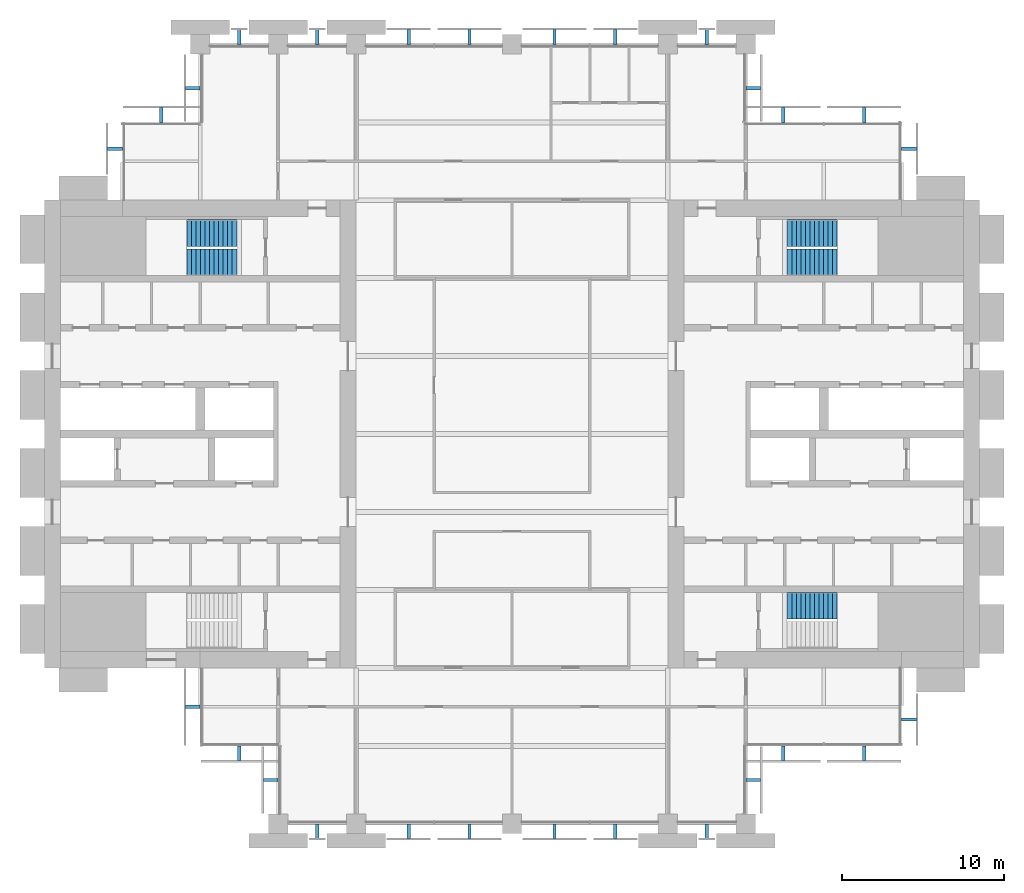
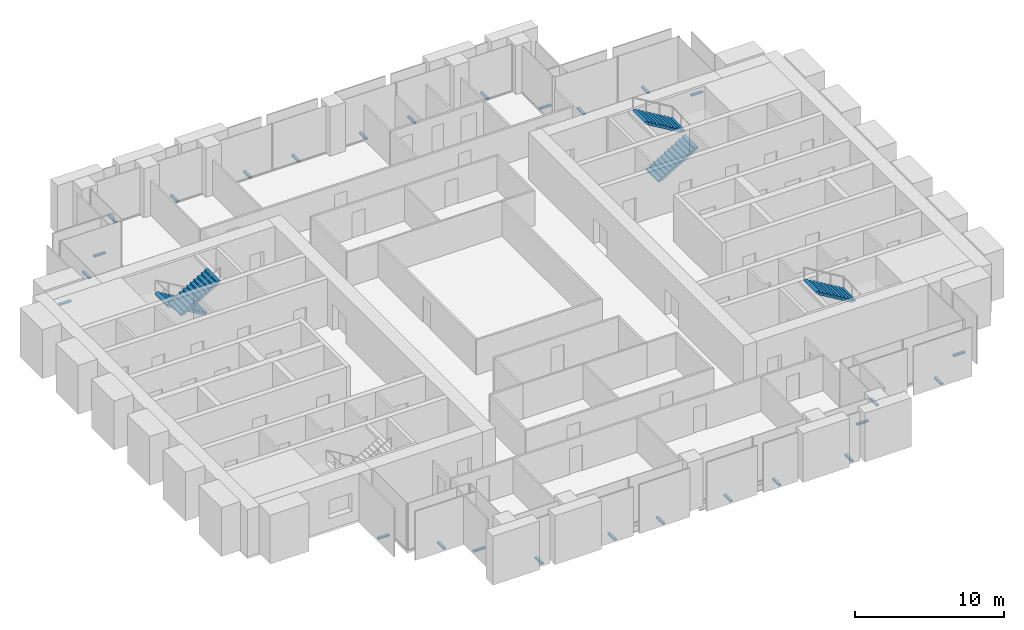
# One storey, part 13 of 14: 27 discrete accessories, 5 stair flights, 3 elements without a shape of their own.
"""IFC4 building model written with IfcOpenShell, lengths in metres."""

from ifc_helpers import new_model, si_unit, direction, frame, origin, origin_2d, place, context, subcontext, project, spatial, polyline, rectangle, outline, extrude, material, type_object, element, aggregate, save


model = new_model("IFC4")

# Units and contexts
model_context = context("Model", 3, precision=1e-05, world=origin(), true_north=direction((0.0, 1.0)))
body_context = subcontext(model_context, "Body", "Model", "MODEL_VIEW")
ifc_project = project(units=[si_unit("LENGTHUNIT", "METRE"), si_unit("AREAUNIT", "SQUARE_METRE"), si_unit("VOLUMEUNIT", "CUBIC_METRE"), si_unit("PLANEANGLEUNIT", "RADIAN"), si_unit("MASSUNIT", "GRAM", prefix="KILO")], contexts=[model_context])

# Site, building, storey
site_placement = place(None, origin())
site = spatial("IfcSite", under=ifc_project, at=site_placement, CompositionType="ELEMENT")
building_placement = place(site_placement, origin())
building = spatial("IfcBuilding", under=site, at=building_placement, Name="Baori Bourse Tower", CompositionType="ELEMENT")
storey_placement = place(building_placement, frame((0.0, 0.0, 112.10009765625)))
storey = spatial("IfcBuildingStorey", under=building, at=storey_placement, Name="L23", CompositionType="ELEMENT", Elevation=112.10009765625)

# Stair, stair flights
ifc_material_1 = material(Name="Concrete f'c 50 MPa", Category="concrete")
stair_type = type_object("IfcStairType", Name="Core stair", PredefinedType="HALF_TURN_STAIR", material=ifc_material_1)
stair_1_placement = place(storey_placement, origin())
stair_1 = element("IfcStair", 1, at=stair_1_placement, inside=storey, type_object=stair_type, Name="L23 Stair WB", PredefinedType="HALF_TURN_STAIR")
ifc_material_2 = material(Name="Concrete f'c 50 MPa", Category="concrete")
stair_flight_type = type_object("IfcStairFlightType", Name="Core stair flight", PredefinedType="STRAIGHT", material=ifc_material_2)
stair_flight_1_placement = place(storey_placement, frame((11.85009765625, 36.375, 0.0), z_axis=(0.0, 0.0, 1.0), x_axis=(-1.0, 0.0, 0.0)))
stair_flight_1 = element("IfcStairFlight", 2, at=stair_flight_1_placement, type_object=stair_flight_type, Name="ST2 flight 1", NumberOfRisers=12, NumberOfTreads=11, PredefinedType="STRAIGHT", RiserHeight=0.166666667, TreadLength=0.28, context=body_context, shape_type="SweptSolid", body=[
    extrude(outline(polyline([(0.0, 0.0), (0.0, 0.166748046875), (0.280029296875, 0.166748046875), (0.280029296875, 0.333251953125), (0.56005859375, 0.333251953125), (0.56005859375, 0.5), (0.840087890625, 0.5), (0.840087890625, 0.666748046875), (1.1201171875, 0.666748046875), (1.1201171875, 0.833251953125), (1.39990234375, 0.833251953125), (1.39990234375, 1.0), (1.679931640625, 1.0), (1.679931640625, 1.166748046875), (1.9599609375, 1.166748046875), (1.9599609375, 1.333251953125), (2.239990234375, 1.333251953125), (2.239990234375, 1.5), (2.52001953125, 1.5), (2.52001953125, 1.666748046875), (2.800048828125, 1.666748046875), (2.800048828125, 1.833251953125), (3.080078125, 1.833251953125), (3.080078125, 2.0), (3.080078125, 1.658935546875), (0.29296875, 0.0), (0.0, 0.0)])), frame((0.0, 0.824951171875, 0.0), z_axis=(0.0, -1.0, 0.0), x_axis=(1.0, 0.0, 0.0)), (0.0, 0.0, 1.0), 1.64990234375),
])
stair_flight_2_placement = place(storey_placement, frame((8.77001953125, 34.574951171875, 2.0), z_axis=(0.0, 0.0, 1.0), x_axis=(1.0, 0.0, 0.0)))
stair_flight_2 = element("IfcStairFlight", 3, at=stair_flight_2_placement, type_object=stair_flight_type, Name="ST2 flight 2", NumberOfRisers=12, NumberOfTreads=11, PredefinedType="STRAIGHT", RiserHeight=0.166666667, TreadLength=0.28, context=body_context, shape_type="SweptSolid", body=[
    extrude(outline(polyline([(0.0, 0.0), (0.0, 0.166748046875), (0.280029296875, 0.166748046875), (0.280029296875, 0.333251953125), (0.56005859375, 0.333251953125), (0.56005859375, 0.5), (0.840087890625, 0.5), (0.840087890625, 0.666748046875), (1.1201171875, 0.666748046875), (1.1201171875, 0.833251953125), (1.39990234375, 0.833251953125), (1.39990234375, 1.0), (1.679931640625, 1.0), (1.679931640625, 1.166748046875), (1.9599609375, 1.166748046875), (1.9599609375, 1.333251953125), (2.239990234375, 1.333251953125), (2.239990234375, 1.5), (2.52001953125, 1.5), (2.52001953125, 1.666748046875), (2.800048828125, 1.666748046875), (2.800048828125, 1.833251953125), (3.080078125, 1.833251953125), (3.080078125, 2.0), (3.080078125, 1.658935546875), (0.29296875, 0.0), (0.0, 0.0)])), frame((0.0, 0.824951171875, 0.0), z_axis=(0.0, -1.0, 0.0), x_axis=(1.0, 0.0, 0.0)), (0.0, 0.0, 1.0), 1.64990234375),
])
aggregate(stair_1, [stair_flight_1, stair_flight_2])

# Stair, stair flight
stair_2_placement = place(storey_placement, origin())
stair_2 = element("IfcStair", 4, at=stair_2_placement, inside=storey, type_object=stair_type, Name="L23 Stair EA", PredefinedType="HALF_TURN_STAIR")
stair_flight_3_placement = place(storey_placement, frame((48.830078125, 13.425048828125, 2.0), z_axis=(0.0, 0.0, 1.0), x_axis=(-1.0, 0.0, 0.0)))
stair_flight_3 = element("IfcStairFlight", 5, at=stair_flight_3_placement, type_object=stair_flight_type, Name="ST3 flight 2", NumberOfRisers=12, NumberOfTreads=11, PredefinedType="STRAIGHT", RiserHeight=0.166666667, TreadLength=0.28, context=body_context, shape_type="SweptSolid", body=[
    extrude(outline(polyline([(0.0, 0.0), (0.0, 0.166748046875), (0.280029296875, 0.166748046875), (0.280029296875, 0.333251953125), (0.56005859375, 0.333251953125), (0.56005859375, 0.5), (0.840087890625, 0.5), (0.840087890625, 0.666748046875), (1.1201171875, 0.666748046875), (1.1201171875, 0.833251953125), (1.39990234375, 0.833251953125), (1.39990234375, 1.0), (1.679931640625, 1.0), (1.679931640625, 1.166748046875), (1.9599609375, 1.166748046875), (1.9599609375, 1.333251953125), (2.239990234375, 1.333251953125), (2.239990234375, 1.5), (2.52001953125, 1.5), (2.52001953125, 1.666748046875), (2.800048828125, 1.666748046875), (2.800048828125, 1.833251953125), (3.080078125, 1.833251953125), (3.080078125, 2.0), (3.080078125, 1.658935546875), (0.29296875, 0.0), (0.0, 0.0)])), frame((0.0, 0.824951171875, 0.0), z_axis=(0.0, -1.0, 0.0), x_axis=(1.0, 0.0, 0.0)), (0.0, 0.0, 1.0), 1.64990234375),
])
aggregate(stair_2, [stair_flight_3])

# Stair, stair flights
stair_3_placement = place(storey_placement, origin())
stair_3 = element("IfcStair", 6, at=stair_3_placement, inside=storey, type_object=stair_type, Name="L23 Stair EB", PredefinedType="HALF_TURN_STAIR")
stair_flight_4_placement = place(storey_placement, frame((45.75, 34.574951171875, 0.0), z_axis=(0.0, 0.0, 1.0), x_axis=(1.0, 0.0, 0.0)))
stair_flight_4 = element("IfcStairFlight", 7, at=stair_flight_4_placement, type_object=stair_flight_type, Name="ST4 flight 1", NumberOfRisers=12, NumberOfTreads=11, PredefinedType="STRAIGHT", RiserHeight=0.166666667, TreadLength=0.28, context=body_context, shape_type="SweptSolid", body=[
    extrude(outline(polyline([(0.0, 0.0), (0.0, 0.166748046875), (0.280029296875, 0.166748046875), (0.280029296875, 0.333251953125), (0.56005859375, 0.333251953125), (0.56005859375, 0.5), (0.840087890625, 0.5), (0.840087890625, 0.666748046875), (1.1201171875, 0.666748046875), (1.1201171875, 0.833251953125), (1.39990234375, 0.833251953125), (1.39990234375, 1.0), (1.679931640625, 1.0), (1.679931640625, 1.166748046875), (1.9599609375, 1.166748046875), (1.9599609375, 1.333251953125), (2.239990234375, 1.333251953125), (2.239990234375, 1.5), (2.52001953125, 1.5), (2.52001953125, 1.666748046875), (2.800048828125, 1.666748046875), (2.800048828125, 1.833251953125), (3.080078125, 1.833251953125), (3.080078125, 2.0), (3.080078125, 1.658935546875), (0.29296875, 0.0), (0.0, 0.0)])), frame((0.0, 0.824951171875, 0.0), z_axis=(0.0, -1.0, 0.0), x_axis=(1.0, 0.0, 0.0)), (0.0, 0.0, 1.0), 1.64990234375),
])
stair_flight_5_placement = place(storey_placement, frame((48.830078125, 36.375, 2.0), z_axis=(0.0, 0.0, 1.0), x_axis=(-1.0, 0.0, 0.0)))
stair_flight_5 = element("IfcStairFlight", 8, at=stair_flight_5_placement, type_object=stair_flight_type, Name="ST4 flight 2", NumberOfRisers=12, NumberOfTreads=11, PredefinedType="STRAIGHT", RiserHeight=0.166666667, TreadLength=0.28, context=body_context, shape_type="SweptSolid", body=[
    extrude(outline(polyline([(0.0, 0.0), (0.0, 0.166748046875), (0.280029296875, 0.166748046875), (0.280029296875, 0.333251953125), (0.56005859375, 0.333251953125), (0.56005859375, 0.5), (0.840087890625, 0.5), (0.840087890625, 0.666748046875), (1.1201171875, 0.666748046875), (1.1201171875, 0.833251953125), (1.39990234375, 0.833251953125), (1.39990234375, 1.0), (1.679931640625, 1.0), (1.679931640625, 1.166748046875), (1.9599609375, 1.166748046875), (1.9599609375, 1.333251953125), (2.239990234375, 1.333251953125), (2.239990234375, 1.5), (2.52001953125, 1.5), (2.52001953125, 1.666748046875), (2.800048828125, 1.666748046875), (2.800048828125, 1.833251953125), (3.080078125, 1.833251953125), (3.080078125, 2.0), (3.080078125, 1.658935546875), (0.29296875, 0.0), (0.0, 0.0)])), frame((0.0, 0.824951171875, 0.0), z_axis=(0.0, -1.0, 0.0), x_axis=(1.0, 0.0, 0.0)), (0.0, 0.0, 1.0), 1.64990234375),
])
aggregate(stair_3, [stair_flight_4, stair_flight_5])

# Discrete accessories
ifc_material_3 = material(Name="Pale anodised aluminium", Category="aluminium")
discrete_accessory_type = type_object("IfcDiscreteAccessoryType", Name="OS2 Outer skin bracket", PredefinedType="BRACKET", material=ifc_material_3)
for number, where, z_axis, x_axis, name in (
    (9, (53.25, 41.574951171875, -0.14404296875), (0.0, 0.0, 1.0), (0.0, 1.0, 0.0), "Outer skin bracket L23 1"),
    (10, (50.487548828125, 43.64990234375, -0.14404296875), (0.0, 0.0, 1.0), (-1.0, 0.0, 0.0), "Outer skin bracket L23 2"),
    (11, (45.512451171875, 43.64990234375, -0.14404296875), (0.0, 0.0, 1.0), (-1.0, 0.0, 0.0), "Outer skin bracket L23 3"),
    (12, (43.64990234375, 45.300048828125, -0.14404296875), (0.0, 0.0, 1.0), (0.0, 1.0, 0.0), "Outer skin bracket L23 4"),
    (13, (40.800048828125, 48.449951171875, -0.14404296875), (0.0, 0.0, 1.0), (-1.0, 0.0, 0.0), "Outer skin bracket L23 5"),
    (14, (35.16259765625, 48.449951171875, -0.14404296875), (0.0, 0.0, 1.0), (-1.0, 0.0, 0.0), "Outer skin bracket L23 6"),
    (15, (31.41259765625, 48.449951171875, -0.14404296875), (0.0, 0.0, 1.0), (-1.0, 0.0, 0.0), "Outer skin bracket L23 7"),
    (16, (26.1875, 48.449951171875, -0.14404296875), (0.0, 0.0, 1.0), (-1.0, 0.0, 0.0), "Outer skin bracket L23 8"),
    (17, (22.4375, 48.449951171875, -0.14404296875), (0.0, 0.0, 1.0), (-1.0, 0.0, 0.0), "Outer skin bracket L23 9"),
    (18, (16.800048828125, 48.449951171875, -0.14404296875), (0.0, 0.0, 1.0), (-1.0, 0.0, 0.0), "Outer skin bracket L23 10"),
    (19, (12.0, 48.449951171875, -0.14404296875), (0.0, 0.0, 1.0), (-1.0, 0.0, 0.0), "Outer skin bracket L23 11"),
    (20, (9.14990234375, 45.300048828125, -0.14404296875), (0.0, 0.0, 1.0), (0.0, -1.0, 0.0), "Outer skin bracket L23 12"),
    (21, (7.199951171875, 43.64990234375, -0.14404296875), (0.0, 0.0, 1.0), (-1.0, 0.0, 0.0), "Outer skin bracket L23 13"),
    (22, (4.35009765625, 41.574951171875, -0.14404296875), (0.0, 0.0, 1.0), (0.0, -1.0, 0.0), "Outer skin bracket L23 14"),
    (23, (9.14990234375, 7.199951171875, -0.14404296875), (0.0, 0.0, 1.0), (0.0, -1.0, 0.0), "Outer skin bracket L23 15"),
    (24, (12.0, 4.35009765625, -0.14404296875), (0.0, 0.0, 1.0), (1.0, 0.0, 0.0), "Outer skin bracket L23 16"),
    (25, (13.949951171875, 2.699951171875, -0.14404296875), (0.0, 0.0, 1.0), (0.0, -1.0, 0.0), "Outer skin bracket L23 17"),
    (26, (16.800048828125, -0.449951171875, -0.14404296875), (0.0, 0.0, 1.0), (1.0, 0.0, 0.0), "Outer skin bracket L23 18"),
    (27, (22.4375, -0.449951171875, -0.14404296875), (0.0, 0.0, 1.0), (1.0, 0.0, 0.0), "Outer skin bracket L23 19"),
    (28, (26.1875, -0.449951171875, -0.14404296875), (0.0, 0.0, 1.0), (1.0, 0.0, 0.0), "Outer skin bracket L23 20"),
    (29, (31.41259765625, -0.449951171875, -0.14404296875), (0.0, 0.0, 1.0), (1.0, 0.0, 0.0), "Outer skin bracket L23 21"),
    (30, (35.16259765625, -0.449951171875, -0.14404296875), (0.0, 0.0, 1.0), (1.0, 0.0, 0.0), "Outer skin bracket L23 22"),
    (31, (40.800048828125, -0.449951171875, -0.14404296875), (0.0, 0.0, 1.0), (1.0, 0.0, 0.0), "Outer skin bracket L23 23"),
    (32, (43.64990234375, 2.699951171875, -0.14404296875), (0.0, 0.0, 1.0), (0.0, 1.0, 0.0), "Outer skin bracket L23 24"),
    (33, (45.512451171875, 4.35009765625, -0.14404296875), (0.0, 0.0, 1.0), (1.0, 0.0, 0.0), "Outer skin bracket L23 25"),
    (34, (50.487548828125, 4.35009765625, -0.14404296875), (0.0, 0.0, 1.0), (1.0, 0.0, 0.0), "Outer skin bracket L23 26"),
    (35, (53.25, 6.425048828125, -0.14404296875), (0.0, 0.0, 1.0), (0.0, 1.0, 0.0), "Outer skin bracket L23 27"),
):
    element("IfcDiscreteAccessory", number, at=place(storey_placement, frame(where, z_axis=z_axis, x_axis=x_axis)), inside=storey, type_object=discrete_accessory_type, Name=name, PredefinedType="BRACKET", context=body_context, shape_type="SweptSolid", body=[
        extrude(rectangle(XDim=0.199951171875, YDim=0.89990234375, at=origin_2d()), origin(), (0.0, 0.0, 1.0), 0.1279296875),
    ])

save(model, "model.ifc")
